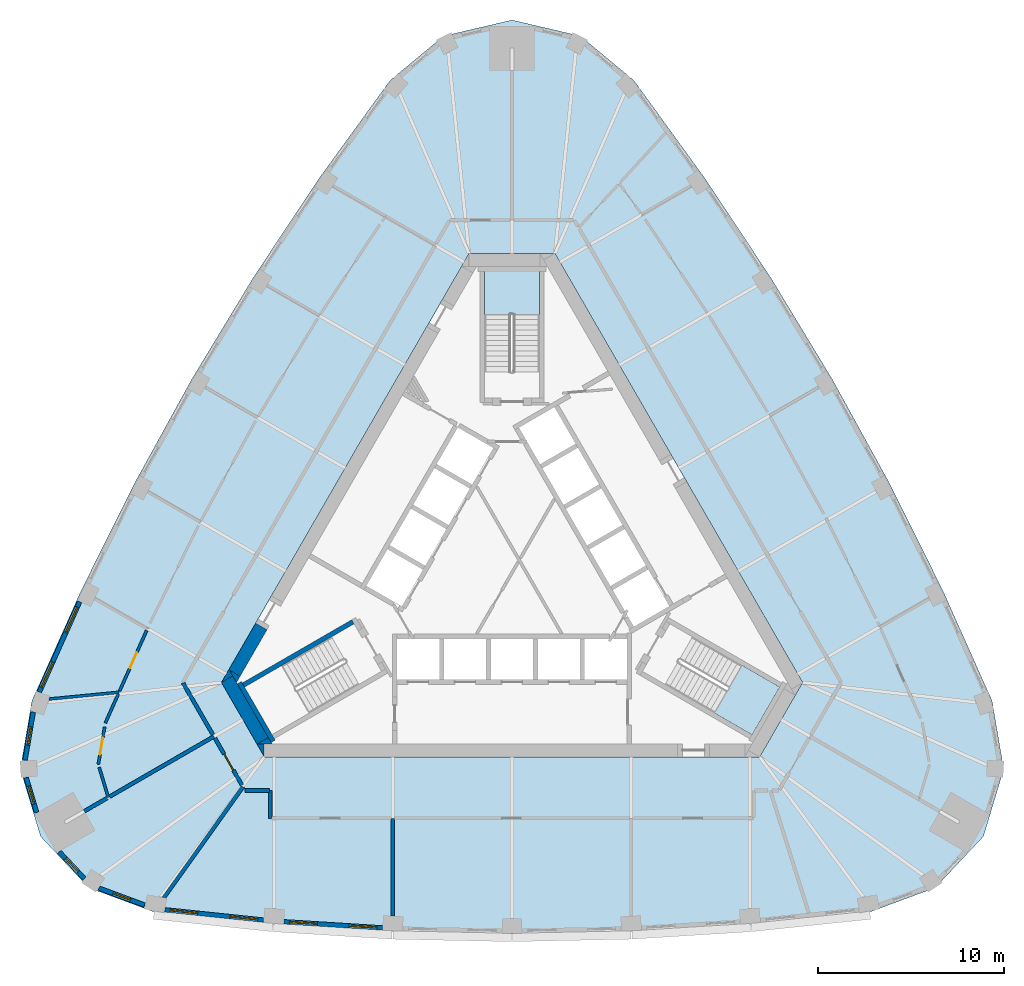
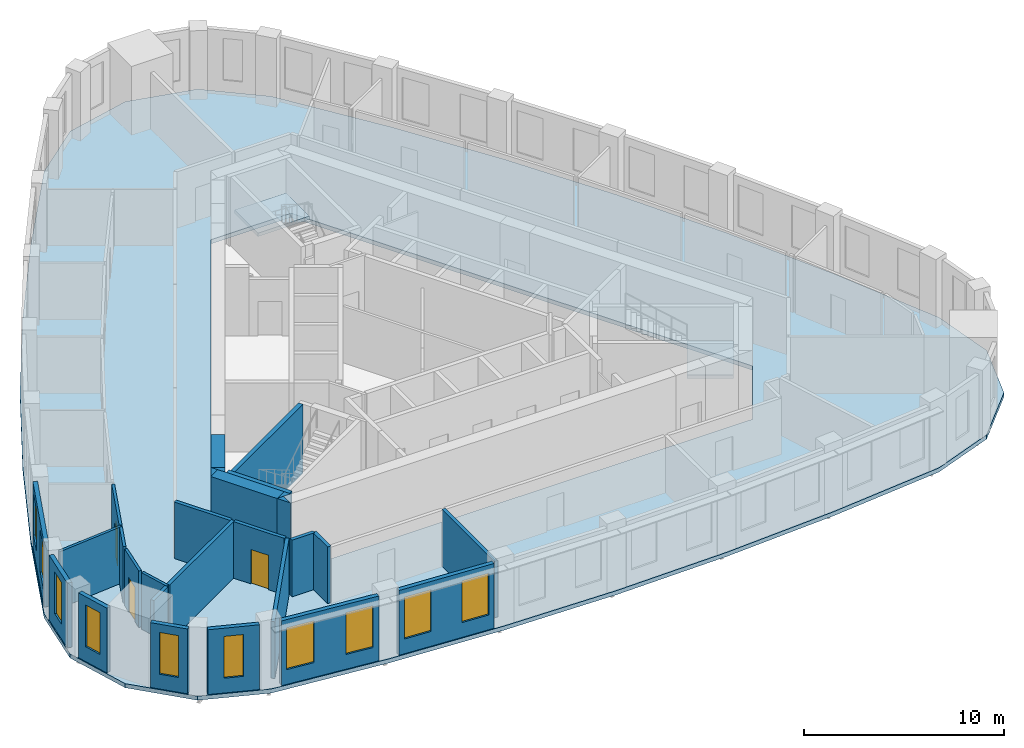
# One storey, part 2 of 11: 28 walls, 10 windows, 3 doors, 3 slabs, 13 openings, 2 elements without a shape of their own.
"""IFC4 building model written with IfcOpenShell, lengths in metres."""

import ifcopenshell
import ifcopenshell.guid

model = None  # the IFC model being written
_history = None  # IfcOwnerHistory: only IFC2X3 demands one
_inside = {}  # id of a spatial element -> (the spatial element, [elements in it])
_under = {}  # id of a project, library or spatial element -> (it, [spatial elements below it])
_declared = {}  # id of a project -> (the project, [libraries it declares])
_typed = {}  # id of a type object -> (the type object, [elements of that type])
_made_of = {}  # id of a material, layer set ... -> (it, [elements and type objects made of it])


def new_model(schema):
    """Start an empty IFC model of exactly this schema.

    Asked for "IFC4X3", IfcOpenShell would pick the latest addendum, in which some entities
    have other attributes; the version numbers below select the first issue.
    IFC2X3 requires an IfcOwnerHistory on every rooted entity: one is made here for all.
    """
    global model, _history
    if schema == "IFC4X3":
        model = ifcopenshell.file(schema_version=(4, 3, 0, 0))
    else:
        model = ifcopenshell.file(schema=schema)
    _inside.clear()
    _under.clear()
    _declared.clear()
    _typed.clear()
    _made_of.clear()
    _history = None
    if model.schema == "IFC2X3":
        org = make("IfcOrganization", Name="unknown")
        user = make(
            "IfcPersonAndOrganization",
            ThePerson=make("IfcPerson", FamilyName="unknown"),
            TheOrganization=org,
        )
        app = make(
            "IfcApplication",
            ApplicationDeveloper=org,
            Version="unknown",
            ApplicationFullName="unknown",
            ApplicationIdentifier="unknown",
        )
        _history = make(
            "IfcOwnerHistory",
            OwningUser=user,
            OwningApplication=app,
            ChangeAction="ADDED",
            CreationDate=0,
        )
    return model


def make(cls, **values):
    """One entity of the class cls with the attributes given. An attribute that is None is left unset."""
    return model.create_entity(
        cls, **{name: value for name, value in values.items() if value is not None}
    )


def rooted(cls, **values):
    """An entity with a GlobalId (a new one), such as an element, a storey or a relation."""
    return make(cls, GlobalId=ifcopenshell.guid.new(), OwnerHistory=_history, **values)


def si_unit(unit_type, name, prefix=None):
    """IfcSIUnit, for example si_unit("LENGTHUNIT", "METRE", prefix="MILLI")."""
    return make("IfcSIUnit", UnitType=unit_type, Prefix=prefix, Name=name)


def assignment(units):
    """IfcUnitAssignment: the units of a project."""
    return None if units is None else make("IfcUnitAssignment", Units=units)


def point(xyz):
    """IfcCartesianPoint."""
    return None if xyz is None else make("IfcCartesianPoint", Coordinates=xyz)


def direction(xyz):
    """IfcDirection."""
    return None if xyz is None else make("IfcDirection", DirectionRatios=xyz)


def frame(location, z_axis=None, x_axis=None):
    """IfcAxis2Placement3D, a coordinate frame: its origin and axes. An axis left out is left unset."""
    return make(
        "IfcAxis2Placement3D",
        Location=point(location),
        Axis=direction(z_axis),
        RefDirection=direction(x_axis),
    )


def frame_2d(location, x_axis=None):
    """IfcAxis2Placement2D, a coordinate frame in the plane: its origin and x axis."""
    return make(
        "IfcAxis2Placement2D", Location=point(location), RefDirection=direction(x_axis)
    )


def origin():
    """The frame at (0, 0, 0) with its axes left unset."""
    return frame((0.0, 0.0, 0.0))


def place(relative_to, where):
    """IfcLocalPlacement: puts the frame where relative to a parent placement (None: the world)."""
    return make(
        "IfcLocalPlacement", PlacementRelTo=relative_to, RelativePlacement=where
    )


def context(
    kind, dimensions, precision=None, world=None, true_north=None, identifier=None
):
    """IfcGeometricRepresentationContext, for example the 3D "Model" context."""
    return make(
        "IfcGeometricRepresentationContext",
        ContextIdentifier=identifier,
        ContextType=kind,
        CoordinateSpaceDimension=dimensions,
        Precision=precision,
        WorldCoordinateSystem=world,
        TrueNorth=true_north,
    )


def subcontext(parent, identifier, kind, view, scale=None):
    """IfcGeometricRepresentationSubContext, for example "Body" below "Model"."""
    return make(
        "IfcGeometricRepresentationSubContext",
        ContextIdentifier=identifier,
        ContextType=kind,
        ParentContext=parent,
        TargetScale=scale,
        TargetView=view,
    )


def project(units=None, contexts=None):
    """IfcProject with its units and contexts."""
    return rooted(
        "IfcProject",
        Name="project",
        RepresentationContexts=contexts,
        UnitsInContext=assignment(units),
    )


def spatial(cls, under=None, at=None, **own):
    """A site, building, storey or space (cls), placed at a placement, below another one or the project."""
    s = rooted(cls, ObjectPlacement=at, **own)
    if under is not None:
        _under.setdefault(under.id(), (under, []))[1].append(s)
    return s


def polyline(points):
    """IfcPolyline through the points."""
    return make("IfcPolyline", Points=[point(p) for p in points])


def profile(cls, at=None, kind="AREA", **sizes):
    """A parametric profile (cls). Its sizes go by their IFC names, for example OverallWidth=200.0."""
    return make(cls, ProfileType=kind, Position=at, **sizes)


def rectangle(**sizes):
    """IfcRectangleProfileDef."""
    return profile("IfcRectangleProfileDef", **sizes)


def outline(outer, holes=None, kind="AREA"):
    """IfcArbitraryClosedProfileDef: a profile drawn as a closed curve; with holes, ...WithVoids."""
    if holes is None:
        return make("IfcArbitraryClosedProfileDef", ProfileType=kind, OuterCurve=outer)
    return make(
        "IfcArbitraryProfileDefWithVoids",
        ProfileType=kind,
        OuterCurve=outer,
        InnerCurves=holes,
    )


def extrude(swept, where, along, depth):
    """IfcExtrudedAreaSolid: the profile swept, set in the frame where, extruded along a direction by depth."""
    return make(
        "IfcExtrudedAreaSolid",
        SweptArea=swept,
        Position=where,
        ExtrudedDirection=direction(along),
        Depth=depth,
    )


def shape(context_of_items, identifier, shape_type, items):
    """IfcShapeRepresentation: the items that make up one representation, for example the "Body"."""
    return make(
        "IfcShapeRepresentation",
        ContextOfItems=context_of_items,
        RepresentationIdentifier=identifier,
        RepresentationType=shape_type,
        Items=items,
    )


def material(Name=None, Category=None):
    """IfcMaterial."""
    return make("IfcMaterial", Name=Name, Category=Category)


def layer(
    of_material, thickness, ventilated=None, Name=None, Category=None, Priority=None
):
    """IfcMaterialLayer: one layer of a wall or slab, of a material (None: an air gap)."""
    return make(
        "IfcMaterialLayer",
        Material=of_material,
        LayerThickness=thickness,
        IsVentilated=ventilated,
        Name=Name,
        Category=Category,
        Priority=Priority,
    )


def layer_set(layers, Name=None):
    """IfcMaterialLayerSet."""
    return make("IfcMaterialLayerSet", MaterialLayers=layers, LayerSetName=Name)


def made_of(thing, what):
    """Note that an element or type object is made of a material, layer set ...; save() writes the relation."""
    if what is not None:
        _made_of.setdefault(what.id(), (what, []))[1].append(thing)
    return thing


def type_object(cls, material=None, **own):
    """A type object (cls), such as IfcWallType, which elements share."""
    return made_of(rooted(cls, **own), material)


def element(
    cls,
    number,
    at=None,
    inside=None,
    cuts=None,
    type_object=None,
    material=None,
    context=None,
    identifier="Body",
    shape_type=None,
    held_by="IfcProductDefinitionShape",
    body=None,
    shapes=None,
    **own,
):
    """One element of the class cls, such as IfcWall. Its Tag is "e" and its number.

    at: its placement. inside: the storey or other place that contains it. cuts: it is an
    opening in that element (IfcRelVoidsElement). A single representation is given by context,
    identifier, shape_type and body (its items); several are given by shapes. held_by: the class
    of the entity that holds the representations. save() writes the other relations.
    """
    e = rooted(cls, Tag="e%d" % number, ObjectPlacement=at, **own)
    if body is not None:
        shapes = [shape(context, identifier, shape_type, body)]
    if shapes is not None:
        e.Representation = make(held_by, Representations=shapes)
    if inside is not None:
        _inside.setdefault(inside.id(), (inside, []))[1].append(e)
    if cuts is not None:
        rooted(
            "IfcRelVoidsElement", RelatingBuildingElement=cuts, RelatedOpeningElement=e
        )
    if type_object is not None:
        _typed.setdefault(type_object.id(), (type_object, []))[1].append(e)
    return made_of(e, material)


def fill(opening, filler):
    """IfcRelFillsElement: the door or window that sits in an opening."""
    return rooted(
        "IfcRelFillsElement",
        RelatingOpeningElement=opening,
        RelatedBuildingElement=filler,
    )


def aggregate(whole, parts):
    """IfcRelAggregates: a whole, such as a stair, and the parts it consists of."""
    return rooted("IfcRelAggregates", RelatingObject=whole, RelatedObjects=parts)


def save(model, path):
    """Write the relations noted so far, then the file.

    IfcRelAggregates (storeys below a building ...), IfcRelContainedInSpatialStructure (elements
    in a storey), IfcRelDefinesByType, IfcRelAssociatesMaterial and IfcRelDeclares: one each for
    every whole, place, type object, material and project.
    """
    for whole, parts in _under.values():
        aggregate(whole, parts)
    for where, things in _inside.values():
        rooted(
            "IfcRelContainedInSpatialStructure",
            RelatedElements=things,
            RelatingStructure=where,
        )
    for kind, things in _typed.values():
        rooted("IfcRelDefinesByType", RelatedObjects=things, RelatingType=kind)
    for what, things in _made_of.values():
        rooted("IfcRelAssociatesMaterial", RelatedObjects=things, RelatingMaterial=what)
    for by, libraries in _declared.values():
        rooted("IfcRelDeclares", RelatingContext=by, RelatedDefinitions=libraries)
    model.write(path)


model = new_model("IFC4")

# Units and contexts
model_context = context("Model", 3, precision=1e-05, world=origin(), true_north=direction((0.0, 1.0)))
body_context = subcontext(model_context, "Body", "Model", "MODEL_VIEW")
ifc_project = project(units=[si_unit("LENGTHUNIT", "METRE"), si_unit("AREAUNIT", "SQUARE_METRE"), si_unit("VOLUMEUNIT", "CUBIC_METRE"), si_unit("PLANEANGLEUNIT", "RADIAN"), si_unit("MASSUNIT", "GRAM", prefix="KILO")], contexts=[model_context])

# Site, building, storey
site_placement = place(None, origin())
site = spatial("IfcSite", under=ifc_project, at=site_placement, CompositionType="ELEMENT")
building_placement = place(site_placement, origin())
building = spatial("IfcBuilding", under=site, at=building_placement, Name="Mestral Congress Tower", CompositionType="ELEMENT")
storey_placement = place(building_placement, frame((0.0, 0.0, 201.60009765625)))
storey = spatial("IfcBuildingStorey", under=building, at=storey_placement, Name="L47", CompositionType="ELEMENT", Elevation=201.60009765625)

# Slab
ifc_material_1 = material(Name="Concrete C35/45", Category="concrete")
ifc_layer_1 = layer(ifc_material_1, 0.25)
ifc_layer_set_1 = layer_set([ifc_layer_1], Name="Concrete C35/45")
slab_type_1 = type_object("IfcSlabType", Name="Composite floor slab 250", PredefinedType="FLOOR", material=ifc_layer_set_1)
slab_1_placement = place(storey_placement, frame((0.0, 0.0, -0.25)))
element("IfcSlab", 1, at=slab_1_placement, inside=storey, type_object=slab_type_1, Name="SL-L47", PredefinedType="FLOOR", context=body_context, shape_type="SweptSolid", body=[
    extrude(outline(polyline([(-19.253662109375, -18.678466796875), (-22.75, -17.381591796875), (-25.3369140625, -14.62841796875), (-26.427978515625, -11.01123046875), (-25.802978515625, -7.334716796875), (-23.16748046875, -1.4306640625), (-20.310302734375, 4.316650390625), (-17.21728515625, 9.9404296875), (-13.8935546875, 15.430908203125), (-10.3447265625, 20.77880859375), (-6.54931640625, 26.013427734375), (-3.677978515625, 28.392822265625), (0.0, 29.256591796875), (3.677978515625, 28.392822265625), (6.54931640625, 26.013427734375), (10.3447265625, 20.77880859375), (13.8935546875, 15.430908203125), (17.21728515625, 9.9404296875), (20.310302734375, 4.316650390625), (23.16748046875, -1.4306640625), (25.802978515625, -7.334716796875), (26.427978515625, -11.01123046875), (25.3369140625, -14.62841796875), (22.75, -17.381591796875), (19.253662109375, -18.678466796875), (12.822509765625, -19.34814453125), (6.416748046875, -19.74755859375), (0.0, -19.880615234375), (-6.416748046875, -19.74755859375), (-12.822509765625, -19.34814453125), (-19.253662109375, -18.678466796875)]), holes=[polyline([(-2.309326171875, 16.699951171875), (-15.6171875, -6.35009765625), (-13.307861328125, -10.35009765625), (13.307861328125, -10.35009765625), (15.6171875, -6.35009765625), (2.309326171875, 16.699951171875), (-2.309326171875, 16.699951171875)])]), origin(), (0.0, 0.0, 1.0), 0.25),
])

# Stair, slab
ifc_material_2 = material(Name="Concrete C60/75", Category="concrete")
stair_type = type_object("IfcStairType", Name="Exit stair 1400", PredefinedType="HALF_TURN_STAIR", material=ifc_material_2)
placement_1 = place(storey_placement, origin())
stair_1 = element("IfcStair", 2, at=placement_1, inside=storey, type_object=stair_type, Name="L47 ST1", PredefinedType="HALF_TURN_STAIR")
ifc_layer_2 = layer(ifc_material_2, 0.199951171875)
ifc_layer_set_2 = layer_set([ifc_layer_2], Name="Concrete C60/75")
slab_type_2 = type_object("IfcSlabType", Name="Exit stair landing 200", PredefinedType="LANDING", material=ifc_layer_set_2)
placement_2 = place(storey_placement, frame((0.0, 0.0, 1.89990234375)))
slab_2 = element("IfcSlab", 3, at=placement_2, type_object=slab_type_2, Name="ST1 landing 1", PredefinedType="LANDING", context=body_context, shape_type="SweptSolid", body=[
    extrude(outline(polyline([(10.879638671875, -7.99609375), (12.364501953125, -5.424072265625), (14.39111328125, -6.593994140625), (12.906005859375, -9.166015625), (10.879638671875, -7.99609375)])), origin(), (0.0, 0.0, 1.0), 0.199951171875),
])
aggregate(stair_1, [slab_2])

stair_2 = element("IfcStair", 4, at=placement_1, inside=storey, type_object=stair_type, Name="L47 ST2", PredefinedType="HALF_TURN_STAIR")
slab_3 = element("IfcSlab", 5, at=placement_2, type_object=slab_type_2, Name="ST2 landing 1", PredefinedType="LANDING", context=body_context, shape_type="SweptSolid", body=[
    extrude(outline(polyline([(1.485107421875, 13.419921875), (-1.485107421875, 13.419921875), (-1.485107421875, 15.760009765625), (1.485107421875, 15.760009765625), (1.485107421875, 13.419921875)])), origin(), (0.0, 0.0, 1.0), 0.199951171875),
])
aggregate(stair_2, [slab_3])

# Walls
ifc_layer_3 = layer(ifc_material_2, 0.699951171875)
ifc_layer_set_3 = layer_set([ifc_layer_3], Name="Concrete C60/75")
wall_type_1 = type_object("IfcWallType", Name="Core wall RC 700", PredefinedType="SOLIDWALL", material=ifc_layer_set_3)
element("IfcWall", 6, at=placement_1, inside=storey, type_object=wall_type_1, Name="L47 core wall", PredefinedType="SOLIDWALL", context=body_context, shape_type="SweptSolid", body=[
    extrude(outline(polyline([(-13.7119140625, -9.64990234375), (-13.323974609375, -9.64990234375), (-13.323974609375, -10.322021484375), (-13.7119140625, -9.64990234375)])), origin(), (0.0, 0.0, 1.0), 4.199951171875),
])
wall_2_placement = place(storey_placement, frame((-13.40185546875, -9.4873046875, 0.0), z_axis=(0.0, 0.0, 1.0), x_axis=(-0.500020498207, 0.866013568815, 0.0)))
element("IfcWall", 7, at=wall_2_placement, inside=storey, type_object=wall_type_1, Name="L47 core wall", PredefinedType="SOLIDWALL", context=body_context, shape_type="SweptSolid", body=[
    extrude(rectangle(XDim=3.828857421875, YDim=0.699951171875, at=frame_2d((1.91455078125, 0.0))), origin(), (0.0, 0.0, 1.0), 4.199951171875),
])
element("IfcWall", 8, at=placement_1, inside=storey, type_object=wall_type_1, Name="L47 core wall", PredefinedType="SOLIDWALL", context=body_context, shape_type="SweptSolid", body=[
    extrude(outline(polyline([(-15.01416015625, -5.99462890625), (-15.611083984375, -6.33935546875), (-15.213134765625, -5.64990234375), (-15.01416015625, -5.99462890625)])), origin(), (0.0, 0.0, 1.0), 4.199951171875),
])
element("IfcWall", 9, at=placement_1, inside=storey, type_object=wall_type_1, Name="L47 core wall", PredefinedType="SOLIDWALL", context=body_context, shape_type="SweptSolid", body=[
    extrude(outline(polyline([(-12.90380859375, -9.64990234375), (-13.6796875, -9.64990234375), (-13.097900390625, -9.31396484375), (-12.90380859375, -9.64990234375)])), origin(), (0.0, 0.0, 1.0), 4.199951171875),
])
wall_5_placement = place(storey_placement, frame((-13.474853515625, -3.33935546875, 0.0), z_axis=(0.0, 0.0, 1.0), x_axis=(-0.500008214683, -0.866020660983, 0.0)))
element("IfcWall", 10, at=wall_5_placement, inside=storey, type_object=wall_type_1, Name="L47 core wall", PredefinedType="SOLIDWALL", context=body_context, shape_type="SweptSolid", body=[
    extrude(rectangle(XDim=2.88427734375, YDim=0.699951171875, at=frame_2d((1.442138671875, 0.0))), origin(), (0.0, 0.0, 1.0), 4.199951171875),
])
element("IfcWall", 11, at=placement_1, inside=storey, type_object=wall_type_1, Name="L47 core wall", PredefinedType="SOLIDWALL", context=body_context, shape_type="SweptSolid", body=[
    extrude(outline(polyline([(-14.80908203125, -6.35009765625), (-15.197021484375, -5.677978515625), (-14.614990234375, -6.013916015625), (-14.80908203125, -6.35009765625)])), origin(), (0.0, 0.0, 1.0), 4.199951171875),
])

# Wall, openings, windows
ifc_material_3 = material(Name="Precast concrete C40/50 with limestone facing", Category="masonry")
ifc_layer_4 = layer(ifc_material_3, 0.239990234375)
ifc_layer_set_4 = layer_set([ifc_layer_4], Name="Precast concrete C40/50 with limestone facing")
wall_type_2 = type_object("IfcWallType", Name="Facade stone wall 240", PredefinedType="SOLIDWALL", material=ifc_layer_set_4)
wall_7_placement = place(storey_placement, frame((-18.644287109375, -18.571044921875, 0.0), z_axis=(0.0, 0.0, 1.0), x_axis=(0.994621961215, -0.103571976272, 0.0)))
wall_7 = element("IfcWall", 12, at=wall_7_placement, inside=storey, type_object=wall_type_2, Name="Facade wall F0-00", PredefinedType="SOLIDWALL", context=body_context, shape_type="SweptSolid", body=[
    extrude(rectangle(XDim=5.310791015625, YDim=0.239990234375, at=frame_2d((2.6552734375, 0.0))), origin(), (0.0, 0.0, 1.0), 3.949951171875),
])
opening_1_placement = place(wall_7_placement, frame((0.271484375, 0.0, 0.89990234375)))
opening_1 = element("IfcOpeningElement", 13, at=opening_1_placement, cuts=wall_7, Name="Opening W4", PredefinedType="OPENING", context=body_context, shape_type="SweptSolid", body=[
    extrude(rectangle(XDim=1.5, YDim=2.550048828125, at=frame_2d((0.75, 1.27490234375))), frame((0.0, 0.1298828125, 0.0), z_axis=(0.0, -1.0, 0.0), x_axis=(1.0, 0.0, 0.0)), (0.0, 0.0, 1.0), 0.260009765625),
])
opening_2_placement = place(wall_7_placement, frame((3.50439453125, 0.0, 0.89990234375)))
opening_2 = element("IfcOpeningElement", 14, at=opening_2_placement, cuts=wall_7, Name="Opening W4", PredefinedType="OPENING", context=body_context, shape_type="SweptSolid", body=[
    extrude(rectangle(XDim=1.5, YDim=2.550048828125, at=frame_2d((0.75, 1.27490234375))), frame((0.0, 0.1298828125, 0.0), z_axis=(0.0, -1.0, 0.0), x_axis=(1.0, 0.0, 0.0)), (0.0, 0.0, 1.0), 0.260009765625),
])
ifc_material_4 = material(Name="Clear low-emissivity double glazing", Category="glass")
window_type_1 = type_object("IfcWindowType", Name="Facade punched window 1500 x 2550 sill 900", PartitioningType="SINGLE_PANEL", PredefinedType="WINDOW", material=ifc_material_4)
window_1_placement = place(opening_1_placement, origin())
window_1 = element("IfcWindow", 15, at=window_1_placement, inside=storey, type_object=window_type_1, Name="Window F0-00a", OverallHeight=2.550048828125, OverallWidth=1.5, PartitioningType="SINGLE_PANEL", PredefinedType="WINDOW", context=body_context, shape_type="SweptSolid", body=[
    extrude(rectangle(XDim=1.5, YDim=2.550048828125, at=frame_2d((0.75, 1.27490234375))), frame((0.0, 0.0400390625, 0.0), z_axis=(0.0, -1.0, 0.0), x_axis=(1.0, 0.0, 0.0)), (0.0, 0.0, 1.0), 0.06005859375),
])
fill(opening_1, window_1)
window_2_placement = place(opening_2_placement, origin())
window_2 = element("IfcWindow", 16, at=window_2_placement, inside=storey, type_object=window_type_1, Name="Window F0-00b", OverallHeight=2.550048828125, OverallWidth=1.5, PartitioningType="SINGLE_PANEL", PredefinedType="WINDOW", context=body_context, shape_type="SweptSolid", body=[
    extrude(rectangle(XDim=1.5, YDim=2.550048828125, at=frame_2d((0.75, 1.27490234375))), frame((0.0, 0.0400390625, 0.0), z_axis=(0.0, -1.0, 0.0), x_axis=(1.0, 0.0, 0.0)), (0.0, 0.0, 1.0), 0.06005859375),
])
fill(opening_2, window_2)

wall_8_placement = place(storey_placement, frame((-12.253173828125, -19.21337890625, 0.0), z_axis=(0.0, 0.0, 1.0), x_axis=(0.9980633213, -0.062206162685, 0.0)))
wall_8 = element("IfcWall", 17, at=wall_8_placement, inside=storey, type_object=wall_type_2, Name="Facade wall F0-01", PredefinedType="SOLIDWALL", context=body_context, shape_type="SweptSolid", body=[
    extrude(rectangle(XDim=5.29833984375, YDim=0.239990234375, at=frame_2d((2.649169921875, 0.0))), origin(), (0.0, 0.0, 1.0), 3.949951171875),
])
opening_3_placement = place(wall_8_placement, frame((0.29443359375, 0.0, 0.89990234375)))
opening_3 = element("IfcOpeningElement", 18, at=opening_3_placement, cuts=wall_8, Name="Opening W4", PredefinedType="OPENING", context=body_context, shape_type="SweptSolid", body=[
    extrude(rectangle(XDim=1.5, YDim=2.550048828125, at=frame_2d((0.75, 1.27490234375))), frame((0.0, 0.1298828125, 0.0), z_axis=(0.0, -1.0, 0.0), x_axis=(1.0, 0.0, 0.0)), (0.0, 0.0, 1.0), 0.260009765625),
])
opening_4_placement = place(wall_8_placement, frame((3.503662109375, 0.0, 0.89990234375)))
opening_4 = element("IfcOpeningElement", 19, at=opening_4_placement, cuts=wall_8, Name="Opening W4", PredefinedType="OPENING", context=body_context, shape_type="SweptSolid", body=[
    extrude(rectangle(XDim=1.5, YDim=2.550048828125, at=frame_2d((0.75, 1.27490234375))), frame((0.0, 0.1298828125, 0.0), z_axis=(0.0, -1.0, 0.0), x_axis=(1.0, 0.0, 0.0)), (0.0, 0.0, 1.0), 0.260009765625),
])
window_3_placement = place(opening_3_placement, origin())
window_3 = element("IfcWindow", 20, at=window_3_placement, inside=storey, type_object=window_type_1, Name="Window F0-01a", OverallHeight=2.550048828125, OverallWidth=1.5, PartitioningType="SINGLE_PANEL", PredefinedType="WINDOW", context=body_context, shape_type="SweptSolid", body=[
    extrude(rectangle(XDim=1.5, YDim=2.550048828125, at=frame_2d((0.75, 1.27490234375))), frame((0.0, 0.0400390625, 0.0), z_axis=(0.0, -1.0, 0.0), x_axis=(1.0, 0.0, 0.0)), (0.0, 0.0, 1.0), 0.06005859375),
])
fill(opening_3, window_3)
window_4_placement = place(opening_4_placement, origin())
window_4 = element("IfcWindow", 21, at=window_4_placement, inside=storey, type_object=window_type_1, Name="Window F0-01b", OverallHeight=2.550048828125, OverallWidth=1.5, PartitioningType="SINGLE_PANEL", PredefinedType="WINDOW", context=body_context, shape_type="SweptSolid", body=[
    extrude(rectangle(XDim=1.5, YDim=2.550048828125, at=frame_2d((0.75, 1.27490234375))), frame((0.0, 0.0400390625, 0.0), z_axis=(0.0, -1.0, 0.0), x_axis=(1.0, 0.0, 0.0)), (0.0, 0.0, 1.0), 0.06005859375),
])
fill(opening_4, window_4)

wall_9_placement = place(storey_placement, frame((-23.240478515625, -2.01123046875, 0.0), z_axis=(0.0, 0.0, 1.0), x_axis=(-0.407579651789, -0.913169659728, 0.0)))
wall_9 = element("IfcWall", 22, at=wall_9_placement, inside=storey, type_object=wall_type_2, Name="Facade wall F2-05", PredefinedType="SOLIDWALL", context=body_context, shape_type="SweptSolid", body=[
    extrude(rectangle(XDim=5.310791015625, YDim=0.239990234375, at=frame_2d((2.6552734375, 0.0))), origin(), (0.0, 0.0, 1.0), 3.949951171875),
])
opening_5_placement = place(wall_9_placement, frame((0.306396484375, 0.0, 0.89990234375)))
opening_5 = element("IfcOpeningElement", 23, at=opening_5_placement, cuts=wall_9, Name="Opening W4", PredefinedType="OPENING", context=body_context, shape_type="SweptSolid", body=[
    extrude(rectangle(XDim=1.5, YDim=2.550048828125, at=frame_2d((0.75, 1.27490234375))), frame((0.0, 0.1298828125, 0.0), z_axis=(0.0, -1.0, 0.0), x_axis=(1.0, 0.0, 0.0)), (0.0, 0.0, 1.0), 0.260009765625),
])
opening_6_placement = place(wall_9_placement, frame((3.539306640625, 0.0, 0.89990234375)))
opening_6 = element("IfcOpeningElement", 24, at=opening_6_placement, cuts=wall_9, Name="Opening W4", PredefinedType="OPENING", context=body_context, shape_type="SweptSolid", body=[
    extrude(rectangle(XDim=1.5, YDim=2.550048828125, at=frame_2d((0.75, 1.27490234375))), frame((0.0, 0.1298828125, 0.0), z_axis=(0.0, -1.0, 0.0), x_axis=(1.0, 0.0, 0.0)), (0.0, 0.0, 1.0), 0.260009765625),
])
window_5_placement = place(opening_5_placement, origin())
window_5 = element("IfcWindow", 25, at=window_5_placement, inside=storey, type_object=window_type_1, Name="Window F2-05a", OverallHeight=2.550048828125, OverallWidth=1.5, PartitioningType="SINGLE_PANEL", PredefinedType="WINDOW", context=body_context, shape_type="SweptSolid", body=[
    extrude(rectangle(XDim=1.5, YDim=2.550048828125, at=frame_2d((0.75, 1.27490234375))), frame((0.0, 0.0400390625, 0.0), z_axis=(0.0, -1.0, 0.0), x_axis=(1.0, 0.0, 0.0)), (0.0, 0.0, 1.0), 0.06005859375),
])
fill(opening_5, window_5)
window_6_placement = place(opening_6_placement, origin())
window_6 = element("IfcWindow", 26, at=window_6_placement, inside=storey, type_object=window_type_1, Name="Window F2-05b", OverallHeight=2.550048828125, OverallWidth=1.5, PartitioningType="SINGLE_PANEL", PredefinedType="WINDOW", context=body_context, shape_type="SweptSolid", body=[
    extrude(rectangle(XDim=1.5, YDim=2.550048828125, at=frame_2d((0.75, 1.27490234375))), frame((0.0, 0.0400390625, 0.0), z_axis=(0.0, -1.0, 0.0), x_axis=(1.0, 0.0, 0.0)), (0.0, 0.0, 1.0), 0.06005859375),
])
fill(opening_6, window_6)

# Wall, opening, window
wall_10_placement = place(storey_placement, frame((-25.734130859375, -7.94482421875, 0.0), z_axis=(0.0, 0.0, 1.0), x_axis=(-0.167660055546, -0.985844869021, 0.0)))
wall_10 = element("IfcWall", 27, at=wall_10_placement, inside=storey, type_object=wall_type_2, Name="Facade wall K2-0", PredefinedType="SOLIDWALL", context=body_context, shape_type="SweptSolid", body=[
    extrude(rectangle(XDim=2.609375, YDim=0.239990234375, at=frame_2d((1.3046875, 0.0))), origin(), (0.0, 0.0, 1.0), 3.949951171875),
])
opening_7_placement = place(wall_10_placement, frame((0.8046875, 0.0, 0.89990234375)))
opening_7 = element("IfcOpeningElement", 28, at=opening_7_placement, cuts=wall_10, Name="Opening W5", PredefinedType="OPENING", context=body_context, shape_type="SweptSolid", body=[
    extrude(rectangle(XDim=1.0, YDim=2.550048828125, at=frame_2d((0.5, 1.27490234375))), frame((0.0, 0.1298828125, 0.0), z_axis=(0.0, -1.0, 0.0), x_axis=(1.0, 0.0, 0.0)), (0.0, 0.0, 1.0), 0.260009765625),
])
window_type_2 = type_object("IfcWindowType", Name="Facade punched window 1000 x 2550 sill 900", PartitioningType="SINGLE_PANEL", PredefinedType="WINDOW", material=ifc_material_4)
window_7_placement = place(opening_7_placement, origin())
window_7 = element("IfcWindow", 29, at=window_7_placement, inside=storey, type_object=window_type_2, Name="Window K2-0", OverallHeight=2.550048828125, OverallWidth=1.0, PartitioningType="SINGLE_PANEL", PredefinedType="WINDOW", context=body_context, shape_type="SweptSolid", body=[
    extrude(rectangle(XDim=1.0, YDim=2.550048828125, at=frame_2d((0.5, 1.27490234375))), frame((0.0, 0.0400390625, 0.0), z_axis=(0.0, -1.0, 0.0), x_axis=(1.0, 0.0, 0.0)), (0.0, 0.0, 1.0), 0.06005859375),
])
fill(opening_7, window_7)

wall_11_placement = place(storey_placement, frame((-26.1123046875, -11.469482421875, 0.0), z_axis=(0.0, 0.0, 1.0), x_axis=(0.288727209095, -0.957411405159, 0.0)))
wall_11 = element("IfcWall", 30, at=wall_11_placement, inside=storey, type_object=wall_type_2, Name="Facade wall K2-1", PredefinedType="SOLIDWALL", context=body_context, shape_type="SweptSolid", body=[
    extrude(rectangle(XDim=1.9482421875, YDim=0.239990234375, at=frame_2d((0.97412109375, 0.0))), origin(), (0.0, 0.0, 1.0), 3.949951171875),
])
opening_8_placement = place(wall_11_placement, frame((0.47412109375, 0.0, 0.89990234375)))
opening_8 = element("IfcOpeningElement", 31, at=opening_8_placement, cuts=wall_11, Name="Opening W5", PredefinedType="OPENING", context=body_context, shape_type="SweptSolid", body=[
    extrude(rectangle(XDim=1.0, YDim=2.550048828125, at=frame_2d((0.5, 1.27490234375))), frame((0.0, 0.1298828125, 0.0), z_axis=(0.0, -1.0, 0.0), x_axis=(1.0, 0.0, 0.0)), (0.0, 0.0, 1.0), 0.260009765625),
])
window_8_placement = place(opening_8_placement, origin())
window_8 = element("IfcWindow", 32, at=window_8_placement, inside=storey, type_object=window_type_2, Name="Window K2-1", OverallHeight=2.550048828125, OverallWidth=1.0, PartitioningType="SINGLE_PANEL", PredefinedType="WINDOW", context=body_context, shape_type="SweptSolid", body=[
    extrude(rectangle(XDim=1.0, YDim=2.550048828125, at=frame_2d((0.5, 1.27490234375))), frame((0.0, 0.0400390625, 0.0), z_axis=(0.0, -1.0, 0.0), x_axis=(1.0, 0.0, 0.0)), (0.0, 0.0, 1.0), 0.06005859375),
])
fill(opening_8, window_8)

wall_12_placement = place(storey_placement, frame((-24.322998046875, -15.459228515625, 0.0), z_axis=(0.0, 0.0, 1.0), x_axis=(0.684770274166, -0.728758994194, 0.0)))
wall_12 = element("IfcWall", 33, at=wall_12_placement, inside=storey, type_object=wall_type_2, Name="Facade wall K2-2", PredefinedType="SOLIDWALL", context=body_context, shape_type="SweptSolid", body=[
    extrude(rectangle(XDim=1.947998046875, YDim=0.239990234375, at=frame_2d((0.97412109375, 0.0))), origin(), (0.0, 0.0, 1.0), 3.949951171875),
])
opening_9_placement = place(wall_12_placement, frame((0.47412109375, 0.0, 0.89990234375)))
opening_9 = element("IfcOpeningElement", 34, at=opening_9_placement, cuts=wall_12, Name="Opening W5", PredefinedType="OPENING", context=body_context, shape_type="SweptSolid", body=[
    extrude(rectangle(XDim=1.0, YDim=2.550048828125, at=frame_2d((0.5, 1.27490234375))), frame((0.0, 0.1298828125, 0.0), z_axis=(0.0, -1.0, 0.0), x_axis=(1.0, 0.0, 0.0)), (0.0, 0.0, 1.0), 0.260009765625),
])
window_9_placement = place(opening_9_placement, origin())
window_9 = element("IfcWindow", 35, at=window_9_placement, inside=storey, type_object=window_type_2, Name="Window K2-2", OverallHeight=2.550048828125, OverallWidth=1.0, PartitioningType="SINGLE_PANEL", PredefinedType="WINDOW", context=body_context, shape_type="SweptSolid", body=[
    extrude(rectangle(XDim=1.0, YDim=2.550048828125, at=frame_2d((0.5, 1.27490234375))), frame((0.0, 0.0400390625, 0.0), z_axis=(0.0, -1.0, 0.0), x_axis=(1.0, 0.0, 0.0)), (0.0, 0.0, 1.0), 0.06005859375),
])
fill(opening_9, window_9)

wall_13_placement = place(storey_placement, frame((-22.194091796875, -17.406494140625, 0.0), z_axis=(0.0, 0.0, 1.0), x_axis=(0.937569171184, -0.347798863203, 0.0)))
wall_13 = element("IfcWall", 36, at=wall_13_placement, inside=storey, type_object=wall_type_2, Name="Facade wall K2-3", PredefinedType="SOLIDWALL", context=body_context, shape_type="SweptSolid", body=[
    extrude(rectangle(XDim=2.609130859375, YDim=0.239990234375, at=frame_2d((1.3046875, 0.0))), origin(), (0.0, 0.0, 1.0), 3.949951171875),
])
opening_10_placement = place(wall_13_placement, frame((0.8046875, 0.0, 0.89990234375)))
opening_10 = element("IfcOpeningElement", 37, at=opening_10_placement, cuts=wall_13, Name="Opening W5", PredefinedType="OPENING", context=body_context, shape_type="SweptSolid", body=[
    extrude(rectangle(XDim=1.0, YDim=2.550048828125, at=frame_2d((0.5, 1.27490234375))), frame((0.0, 0.1298828125, 0.0), z_axis=(0.0, -1.0, 0.0), x_axis=(1.0, 0.0, 0.0)), (0.0, 0.0, 1.0), 0.260009765625),
])
window_10_placement = place(opening_10_placement, origin())
window_10 = element("IfcWindow", 38, at=window_10_placement, inside=storey, type_object=window_type_2, Name="Window K2-3", OverallHeight=2.550048828125, OverallWidth=1.0, PartitioningType="SINGLE_PANEL", PredefinedType="WINDOW", context=body_context, shape_type="SweptSolid", body=[
    extrude(rectangle(XDim=1.0, YDim=2.550048828125, at=frame_2d((0.5, 1.27490234375))), frame((0.0, 0.0400390625, 0.0), z_axis=(0.0, -1.0, 0.0), x_axis=(1.0, 0.0, 0.0)), (0.0, 0.0, 1.0), 0.06005859375),
])
fill(opening_10, window_10)

# Wall
ifc_material_5 = material(Name="Plasterboard partition on steel studs", Category="steel")
ifc_layer_5 = layer(ifc_material_5, 0.14990234375)
ifc_layer_set_5 = layer_set([ifc_layer_5], Name="Plasterboard partition on steel studs")
wall_type_3 = type_object("IfcWallType", Name="Office partition 150", PredefinedType="PARTITIONING", material=ifc_layer_set_5)
wall_14_placement = place(storey_placement, frame((-21.121826171875, -6.882080078125, 0.0), z_axis=(0.0, 0.0, 1.0), x_axis=(-0.995354824533, -0.096274468471, 0.0)))
element("IfcWall", 39, at=wall_14_placement, inside=storey, type_object=wall_type_3, Name="Partition", PredefinedType="PARTITIONING", context=body_context, shape_type="SweptSolid", body=[
    extrude(rectangle(XDim=3.765869140625, YDim=0.14990234375, at=frame_2d((1.8828125, 0.0))), origin(), (0.0, 0.0, 1.0), 3.449951171875),
])

# Wall, opening, door
wall_15_placement = place(storey_placement, frame((-21.086669921875, -6.803466796875, 0.0), z_axis=(0.0, 0.0, 1.0), x_axis=(0.40757725445, 0.913170729741, 0.0)))
wall_15 = element("IfcWall", 40, at=wall_15_placement, inside=storey, type_object=wall_type_3, Name="Partition", PredefinedType="PARTITIONING", context=body_context, shape_type="SweptSolid", body=[
    extrude(rectangle(XDim=3.556884765625, YDim=0.14990234375, at=frame_2d((1.7783203125, 0.0))), origin(), (0.0, 0.0, 1.0), 3.449951171875),
])
opening_11_placement = place(wall_15_placement, frame((1.356689453125, 0.0, 0.0)))
opening_11 = element("IfcOpeningElement", 41, at=opening_11_placement, cuts=wall_15, Name="Opening O06-016", PredefinedType="OPENING", context=body_context, shape_type="SweptSolid", body=[
    extrude(rectangle(XDim=0.89990234375, YDim=2.10009765625, at=frame_2d((0.449951171875, 1.050048828125))), frame((0.0, 0.0849609375, 0.0), z_axis=(0.0, -1.0, 0.0), x_axis=(1.0, 0.0, 0.0)), (0.0, 0.0, 1.0), 0.169921875),
])
ifc_material_6 = material(Name="Timber door set", Category="wood")
door_type_1 = type_object("IfcDoorType", Name="Office door 900x2100", OperationType="SINGLE_SWING_LEFT", PredefinedType="DOOR", material=ifc_material_6)
door_1_placement = place(opening_11_placement, origin())
door_1 = element("IfcDoor", 42, at=door_1_placement, inside=storey, type_object=door_type_1, Name="Door O06-016", OperationType="SINGLE_SWING_RIGHT", OverallHeight=2.10009765625, OverallWidth=0.89990234375, PredefinedType="DOOR", context=body_context, shape_type="SweptSolid", body=[
    extrude(rectangle(XDim=0.89990234375, YDim=2.10009765625, at=frame_2d((0.449951171875, 1.050048828125))), frame((0.0, 0.02490234375, 0.0), z_axis=(0.0, -1.0, 0.0), x_axis=(1.0, 0.0, 0.0)), (0.0, 0.0, 1.0), 0.050048828125),
])
fill(opening_11, door_1)

# Wall
wall_16_placement = place(storey_placement, frame((-21.156982421875, -6.9609375, 0.0), z_axis=(0.0, 0.0, 1.0), x_axis=(-0.407627569492, -0.913148270869, 0.0)))
element("IfcWall", 43, at=wall_16_placement, inside=storey, type_object=wall_type_3, Name="Partition", PredefinedType="PARTITIONING", context=body_context, shape_type="SweptSolid", body=[
    extrude(rectangle(XDim=1.71826171875, YDim=0.14990234375, at=frame_2d((0.859130859375, 0.0))), origin(), (0.0, 0.0, 1.0), 3.449951171875),
])

# Wall, opening, door
wall_17_placement = place(storey_placement, frame((-22.23486328125, -10.75, 0.0), z_axis=(0.0, 0.0, 1.0), x_axis=(0.167623442148, 0.985851095066, 0.0)))
wall_17 = element("IfcWall", 44, at=wall_17_placement, inside=storey, type_object=wall_type_3, Name="Partition", PredefinedType="PARTITIONING", context=body_context, shape_type="SweptSolid", body=[
    extrude(rectangle(XDim=2.03759765625, YDim=0.14990234375, at=frame_2d((1.018798828125, 0.0))), origin(), (0.0, 0.0, 1.0), 3.449951171875),
])
opening_12_placement = place(wall_17_placement, frame((0.53759765625, 0.0, 0.0)))
opening_12 = element("IfcOpeningElement", 45, at=opening_12_placement, cuts=wall_17, Name="Opening O06-017", PredefinedType="OPENING", context=body_context, shape_type="SweptSolid", body=[
    extrude(rectangle(XDim=0.89990234375, YDim=2.10009765625, at=frame_2d((0.449951171875, 1.050048828125))), frame((0.0, 0.0849609375, 0.0), z_axis=(0.0, -1.0, 0.0), x_axis=(1.0, 0.0, 0.0)), (0.0, 0.0, 1.0), 0.169921875),
])
door_2_placement = place(opening_12_placement, origin())
door_2 = element("IfcDoor", 46, at=door_2_placement, inside=storey, type_object=door_type_1, Name="Door O06-017", OperationType="SINGLE_SWING_LEFT", OverallHeight=2.10009765625, OverallWidth=0.89990234375, PredefinedType="DOOR", context=body_context, shape_type="SweptSolid", body=[
    extrude(rectangle(XDim=0.89990234375, YDim=2.10009765625, at=frame_2d((0.449951171875, 1.050048828125))), frame((0.0, 0.02490234375, 0.0), z_axis=(0.0, -1.0, 0.0), x_axis=(1.0, 0.0, 0.0)), (0.0, 0.0, 1.0), 0.050048828125),
])
fill(opening_12, door_2)

# Walls
wall_18_placement = place(storey_placement, frame((-22.186279296875, -10.9111328125, 0.0), z_axis=(0.0, 0.0, 1.0), x_axis=(0.288899576463, -0.957359407286, 0.0)))
element("IfcWall", 47, at=wall_18_placement, inside=storey, type_object=wall_type_3, Name="Partition", PredefinedType="PARTITIONING", context=body_context, shape_type="SweptSolid", body=[
    extrude(rectangle(XDim=1.6884765625, YDim=0.14990234375, at=frame_2d((0.84423828125, 0.0))), origin(), (0.0, 0.0, 1.0), 3.449951171875),
])
ifc_material_7 = material(Name="Dense masonry wall, plastered", Category="masonry")
ifc_layer_6 = layer(ifc_material_7, 0.199951171875)
ifc_layer_set_6 = layer_set([ifc_layer_6], Name="Dense masonry wall, plastered")
wall_type_4 = type_object("IfcWallType", Name="Office tenancy wall 200", PredefinedType="PARTITIONING", material=ifc_layer_set_6)
wall_19_placement = place(storey_placement, frame((-6.416748046875, -13.64990234375, 0.0), z_axis=(0.0, 0.0, 1.0), x_axis=(0.0, -1.0, 0.0)))
element("IfcWall", 48, at=wall_19_placement, inside=storey, type_object=wall_type_4, Name="Tenancy wall", PredefinedType="PARTITIONING", context=body_context, shape_type="SweptSolid", body=[
    extrude(rectangle(XDim=5.246826171875, YDim=0.199951171875, at=frame_2d((2.62353515625, 0.0))), origin(), (0.0, 0.0, 1.0), 3.449951171875),
])
wall_20_placement = place(storey_placement, frame((-18.708984375, -17.915771484375, 0.0), z_axis=(0.0, 0.0, 1.0), x_axis=(0.581023578026, 0.813886725397, 0.0)))
element("IfcWall", 49, at=wall_20_placement, inside=storey, type_object=wall_type_4, Name="Tenancy wall", PredefinedType="PARTITIONING", context=body_context, shape_type="SweptSolid", body=[
    extrude(rectangle(XDim=7.318115234375, YDim=0.199951171875, at=frame_2d((3.6591796875, 0.0))), origin(), (0.0, 0.0, 1.0), 3.449951171875),
])
wall_21_placement = place(storey_placement, frame((-13.0, -12.14990234375, 0.0), z_axis=(0.0, 0.0, 1.0), x_axis=(0.0, -1.0, 0.0)))
element("IfcWall", 50, at=wall_21_placement, inside=storey, type_object=wall_type_4, Name="Tenancy wall", PredefinedType="PARTITIONING", context=body_context, shape_type="SweptSolid", body=[
    extrude(rectangle(XDim=1.5, YDim=0.199951171875, at=frame_2d((0.75, 0.0))), origin(), (0.0, 0.0, 1.0), 3.449951171875),
])
wall_22_placement = place(storey_placement, frame((-14.34716796875, -12.14990234375, 0.0), z_axis=(0.0, 0.0, 1.0), x_axis=(1.0, 0.0, 0.0)))
element("IfcWall", 51, at=wall_22_placement, inside=storey, type_object=wall_type_4, Name="Tenancy wall", PredefinedType="PARTITIONING", context=body_context, shape_type="SweptSolid", body=[
    extrude(rectangle(XDim=1.317138671875, YDim=0.199951171875, at=frame_2d((0.65869140625, 0.0))), origin(), (0.0, 0.0, 1.0), 3.449951171875),
])
wall_23_placement = place(storey_placement, frame((-21.765380859375, -12.566162109375, 0.0), z_axis=(0.0, 0.0, 1.0), x_axis=(-0.866021473228, -0.500006807861, 0.0)))
element("IfcWall", 52, at=wall_23_placement, inside=storey, type_object=wall_type_4, Name="Tenancy wall", PredefinedType="PARTITIONING", context=body_context, shape_type="SweptSolid", body=[
    extrude(rectangle(XDim=1.412109375, YDim=0.199951171875, at=frame_2d((0.7060546875, 0.0))), origin(), (0.0, 0.0, 1.0), 3.449951171875),
])
wall_24_placement = place(storey_placement, frame((-16.021484375, -9.25, 0.0), z_axis=(0.0, 0.0, 1.0), x_axis=(-0.86601739438, -0.500013872438, 0.0)))
element("IfcWall", 53, at=wall_24_placement, inside=storey, type_object=wall_type_4, Name="Tenancy wall", PredefinedType="PARTITIONING", context=body_context, shape_type="SweptSolid", body=[
    extrude(rectangle(XDim=6.478271484375, YDim=0.199951171875, at=frame_2d((3.2392578125, 0.0))), origin(), (0.0, 0.0, 1.0), 3.449951171875),
])
wall_25_placement = place(storey_placement, frame((-17.680908203125, -6.3759765625, 0.0), z_axis=(0.0, 0.0, 1.0), x_axis=(0.500022299258, -0.866012528919, 0.0)))
element("IfcWall", 54, at=wall_25_placement, inside=storey, type_object=wall_type_4, Name="Tenancy wall", PredefinedType="PARTITIONING", context=body_context, shape_type="SweptSolid", body=[
    extrude(rectangle(XDim=3.218505859375, YDim=0.199951171875, at=frame_2d((1.609375, 0.0))), origin(), (0.0, 0.0, 1.0), 3.449951171875),
])

# Wall, opening, door
wall_26_placement = place(storey_placement, frame((-15.971435546875, -9.336669921875, 0.0), z_axis=(0.0, 0.0, 1.0), x_axis=(0.500007233661, -0.866021227388, 0.0)))
wall_26 = element("IfcWall", 55, at=wall_26_placement, inside=storey, type_object=wall_type_4, Name="Tenancy wall", PredefinedType="PARTITIONING", context=body_context, shape_type="SweptSolid", body=[
    extrude(rectangle(XDim=2.9189453125, YDim=0.199951171875, at=frame_2d((1.45947265625, 0.0))), origin(), (0.0, 0.0, 1.0), 3.449951171875),
])
opening_13_placement = place(wall_26_placement, frame((1.0, 0.0, 0.0)))
opening_13 = element("IfcOpeningElement", 56, at=opening_13_placement, cuts=wall_26, Name="Opening O06-019", PredefinedType="OPENING", context=body_context, shape_type="SweptSolid", body=[
    extrude(rectangle(XDim=1.0, YDim=2.10009765625, at=frame_2d((0.5, 1.050048828125))), frame((0.0, 0.10986328125, 0.0), z_axis=(0.0, -1.0, 0.0), x_axis=(1.0, 0.0, 0.0)), (0.0, 0.0, 1.0), 0.219970703125),
])
ifc_material_8 = material(Name="Fire-rated timber door set", Category="wood")
door_type_2 = type_object("IfcDoorType", Name="Office tenancy entrance door 1000x2100", OperationType="SINGLE_SWING_LEFT", PredefinedType="DOOR", material=ifc_material_8)
door_3_placement = place(opening_13_placement, origin())
door_3 = element("IfcDoor", 57, at=door_3_placement, inside=storey, type_object=door_type_2, Name="Door O06-019", OperationType="SINGLE_SWING_RIGHT", OverallHeight=2.10009765625, OverallWidth=1.0, PredefinedType="DOOR", context=body_context, shape_type="SweptSolid", body=[
    extrude(rectangle(XDim=1.0, YDim=2.10009765625, at=frame_2d((0.5, 1.050048828125))), frame((0.0, 0.02490234375, 0.0), z_axis=(0.0, -1.0, 0.0), x_axis=(1.0, 0.0, 0.0)), (0.0, 0.0, 1.0), 0.050048828125),
])
fill(opening_13, door_3)

# Walls
ifc_layer_7 = layer(ifc_material_2, 0.25)
ifc_layer_set_7 = layer_set([ifc_layer_7], Name="Concrete C60/75")
wall_type_5 = type_object("IfcWallType", Name="Stair wall RC 250", PredefinedType="SOLIDWALL", material=ifc_layer_set_7)
wall_27_placement = place(storey_placement, frame((-12.839599609375, -9.510986328125, 0.0), z_axis=(0.0, 0.0, 1.0), x_axis=(-0.499997733992, 0.866026712061, 0.0)))
element("IfcWall", 58, at=wall_27_placement, inside=storey, type_object=wall_type_5, Name="L47 core wall", PredefinedType="SOLIDWALL", context=body_context, shape_type="SweptSolid", body=[
    extrude(rectangle(XDim=3.6337890625, YDim=0.25, at=frame_2d((1.81689453125, 0.0))), origin(), (0.0, 0.0, 1.0), 4.199951171875),
])
wall_28_placement = place(storey_placement, frame((-14.43994140625, -6.489501953125, 0.0), z_axis=(0.0, 0.0, 1.0), x_axis=(0.866022966069, 0.500004222222, 0.0)))
element("IfcWall", 59, at=wall_28_placement, inside=storey, type_object=wall_type_5, Name="L47 core wall", PredefinedType="SOLIDWALL", context=body_context, shape_type="SweptSolid", body=[
    extrude(rectangle(XDim=6.80029296875, YDim=0.25, at=frame_2d((3.400146484375, 0.0))), origin(), (0.0, 0.0, 1.0), 4.199951171875),
])

save(model, "model.ifc")
